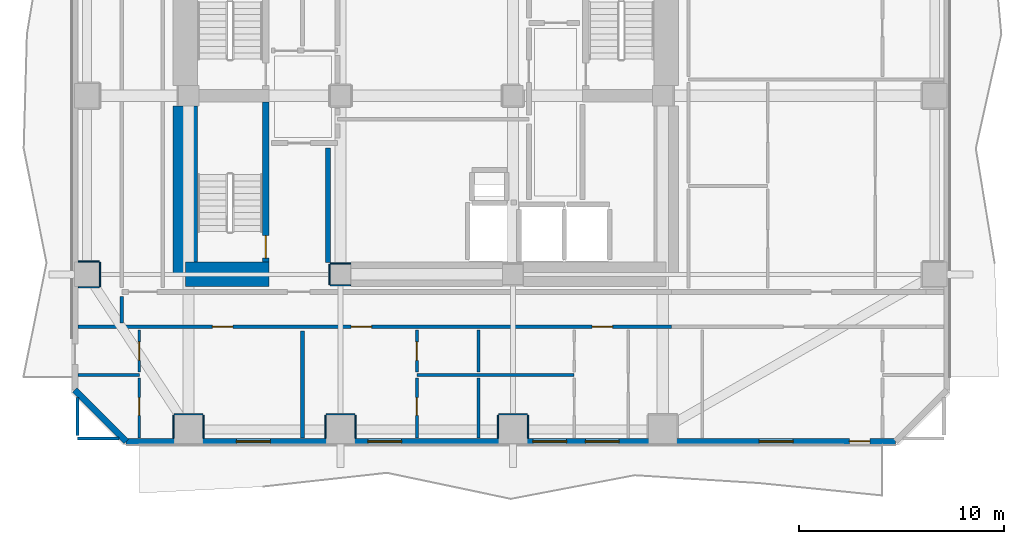
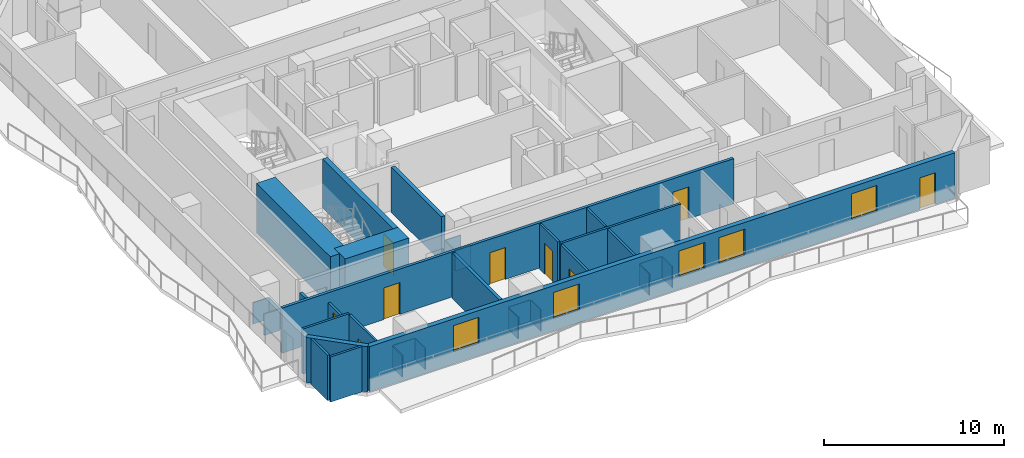
# One storey, part 2 of 11: 34 walls, 9 doors, 5 windows, 14 openings.
"""IFC4 building model written with IfcOpenShell, lengths in metres."""

from ifc_helpers import new_model, si_unit, direction, frame, frame_2d, origin, place, context, subcontext, project, spatial, rectangle, extrude, material, layer, layer_set, type_object, element, fill, save


model = new_model("IFC4")

# Units and contexts
model_context = context("Model", 3, precision=1e-05, world=origin(), true_north=direction((0.0, 1.0)))
body_context = subcontext(model_context, "Body", "Model", "MODEL_VIEW")
ifc_project = project(units=[si_unit("LENGTHUNIT", "METRE"), si_unit("AREAUNIT", "SQUARE_METRE"), si_unit("VOLUMEUNIT", "CUBIC_METRE"), si_unit("PLANEANGLEUNIT", "RADIAN"), si_unit("MASSUNIT", "GRAM", prefix="KILO")], contexts=[model_context])

# Site, building, storey
site_placement = place(None, origin())
site = spatial("IfcSite", under=ifc_project, at=site_placement, CompositionType="ELEMENT")
building_placement = place(site_placement, origin())
building = spatial("IfcBuilding", under=site, at=building_placement, Name="Solanera Arch Residences", CompositionType="ELEMENT")
storey_placement = place(building_placement, frame((0.0, 0.0, 65.159912109375)))
storey = spatial("IfcBuildingStorey", under=building, at=storey_placement, Name="L18", CompositionType="ELEMENT", Elevation=65.159912109375)

# Walls
ifc_material_1 = material(Name="Fire-Rated Gypsum Stud Partition", Category="gypsum")
ifc_layer_1 = layer(ifc_material_1, 0.06005859375)
ifc_layer_set_1 = layer_set([ifc_layer_1], Name="Fire-Rated Gypsum Stud Partition")
wall_type_1 = type_object("IfcWallType", Name="Column Acoustic Furring Wall 60", PredefinedType="PARTITIONING", material=ifc_layer_set_1)
for number, where, z_axis, x_axis, name in (
    (1, (20.300048828125, 21.468017578125, 0.0), (0.0, 0.0, 1.0), (1.0, 0.0, 0.0), "L18 Column Furring 1S"),
    (2, (20.300048828125, 22.531982421875, 0.0), (0.0, 0.0, 1.0), (1.0, 0.0, 0.0), "L18 Column Furring 1N"),
):
    element("IfcWall", number, at=place(storey_placement, frame(where, z_axis=z_axis, x_axis=x_axis)), inside=storey, type_object=wall_type_1, Name=name, PredefinedType="PARTITIONING", context=body_context, shape_type="SweptSolid", body=[
        extrude(rectangle(XDim=0.989990234375, YDim=0.06005859375, at=frame_2d((0.4951171875, 0.0))), origin(), (0.0, 0.0, 1.0), 1.4501953125),
    ])
wall_1_placement = place(storey_placement, frame((20.26806640625, 21.5, 0.0), z_axis=(0.0, 0.0, 1.0), x_axis=(0.0, 1.0, 0.0)))
element("IfcWall", 3, at=wall_1_placement, inside=storey, type_object=wall_type_1, Name="L18 Column Furring 1W", PredefinedType="PARTITIONING", context=body_context, shape_type="SweptSolid", body=[
    extrude(rectangle(XDim=1.0, YDim=0.06005859375, at=frame_2d((0.5, 0.0))), origin(), (0.0, 0.0, 1.0), 1.4501953125),
])
wall_2_placement = place(storey_placement, frame((12.699951171875, 15.181884765625, 0.0), z_axis=(0.0, 0.0, 1.0), x_axis=(1.0, 0.0, 0.0)))
element("IfcWall", 4, at=wall_2_placement, inside=storey, type_object=wall_type_1, Name="L18 Column Furring 9N", PredefinedType="PARTITIONING", context=body_context, shape_type="SweptSolid", body=[
    extrude(rectangle(XDim=1.400146484375, YDim=0.06005859375, at=frame_2d((0.7001953125, 0.0))), origin(), (0.0, 0.0, 1.0), 1.4501953125),
])
for number, where, z_axis, x_axis, name in (
    (5, (12.66796875, 14.030029296875, 0.0), (0.0, 0.0, 1.0), (0.0, 1.0, 0.0), "L18 Column Furring 9W"),
    (6, (14.132080078125, 14.030029296875, 0.0), (0.0, 0.0, 1.0), (0.0, 1.0, 0.0), "L18 Column Furring 9E"),
):
    element("IfcWall", number, at=place(storey_placement, frame(where, z_axis=z_axis, x_axis=x_axis)), inside=storey, type_object=wall_type_1, Name=name, PredefinedType="PARTITIONING", context=body_context, shape_type="SweptSolid", body=[
        extrude(rectangle(XDim=1.119873046875, YDim=0.06005859375, at=frame_2d((0.56005859375, 0.0))), origin(), (0.0, 0.0, 1.0), 1.4501953125),
    ])
wall_3_placement = place(storey_placement, frame((20.10009765625, 15.181884765625, 0.0), z_axis=(0.0, 0.0, 1.0), x_axis=(1.0, 0.0, 0.0)))
element("IfcWall", 7, at=wall_3_placement, inside=storey, type_object=wall_type_1, Name="L18 Column Furring 11N", PredefinedType="PARTITIONING", context=body_context, shape_type="SweptSolid", body=[
    extrude(rectangle(XDim=1.39990234375, YDim=0.06005859375, at=frame_2d((0.699951171875, 0.0))), origin(), (0.0, 0.0, 1.0), 1.4501953125),
])
for number, where, z_axis, x_axis, name in (
    (8, (20.068115234375, 14.030029296875, 0.0), (0.0, 0.0, 1.0), (0.0, 1.0, 0.0), "L18 Column Furring 11W"),
    (9, (21.531982421875, 14.030029296875, 0.0), (0.0, 0.0, 1.0), (0.0, 1.0, 0.0), "L18 Column Furring 11E"),
):
    element("IfcWall", number, at=place(storey_placement, frame(where, z_axis=z_axis, x_axis=x_axis)), inside=storey, type_object=wall_type_1, Name=name, PredefinedType="PARTITIONING", context=body_context, shape_type="SweptSolid", body=[
        extrude(rectangle(XDim=1.119873046875, YDim=0.06005859375, at=frame_2d((0.56005859375, 0.0))), origin(), (0.0, 0.0, 1.0), 1.4501953125),
    ])
wall_4_placement = place(storey_placement, frame((28.5, 15.181884765625, 0.0), z_axis=(0.0, 0.0, 1.0), x_axis=(1.0, 0.0, 0.0)))
element("IfcWall", 10, at=wall_4_placement, inside=storey, type_object=wall_type_1, Name="L18 Column Furring 13N", PredefinedType="PARTITIONING", context=body_context, shape_type="SweptSolid", body=[
    extrude(rectangle(XDim=1.39990234375, YDim=0.06005859375, at=frame_2d((0.699951171875, 0.0))), origin(), (0.0, 0.0, 1.0), 1.4501953125),
])
for number, where, z_axis, x_axis, name in (
    (11, (28.468017578125, 14.030029296875, 0.0), (0.0, 0.0, 1.0), (0.0, 1.0, 0.0), "L18 Column Furring 13W"),
    (12, (29.931884765625, 14.030029296875, 0.0), (0.0, 0.0, 1.0), (0.0, 1.0, 0.0), "L18 Column Furring 13E"),
):
    element("IfcWall", number, at=place(storey_placement, frame(where, z_axis=z_axis, x_axis=x_axis)), inside=storey, type_object=wall_type_1, Name=name, PredefinedType="PARTITIONING", context=body_context, shape_type="SweptSolid", body=[
        extrude(rectangle(XDim=1.119873046875, YDim=0.06005859375, at=frame_2d((0.56005859375, 0.0))), origin(), (0.0, 0.0, 1.0), 1.4501953125),
    ])
for number, where, z_axis, x_axis, name in (
    (13, (8.030029296875, 21.367919921875, 0.0), (0.0, 0.0, 1.0), (1.0, 0.0, 0.0), "L18 Column Furring 17S"),
    (14, (8.030029296875, 22.632080078125, 0.0), (0.0, 0.0, 1.0), (1.0, 0.0, 0.0), "L18 Column Furring 17N"),
):
    element("IfcWall", number, at=place(storey_placement, frame(where, z_axis=z_axis, x_axis=x_axis)), inside=storey, type_object=wall_type_1, Name=name, PredefinedType="PARTITIONING", context=body_context, shape_type="SweptSolid", body=[
        extrude(rectangle(XDim=1.02001953125, YDim=0.06005859375, at=frame_2d((0.510009765625, 0.0))), origin(), (0.0, 0.0, 1.0), 1.4501953125),
    ])
wall_5_placement = place(storey_placement, frame((9.08203125, 21.39990234375, 0.0), z_axis=(0.0, 0.0, 1.0), x_axis=(0.0, 1.0, 0.0)))
element("IfcWall", 15, at=wall_5_placement, inside=storey, type_object=wall_type_1, Name="L18 Column Furring 17E", PredefinedType="PARTITIONING", context=body_context, shape_type="SweptSolid", body=[
    extrude(rectangle(XDim=1.2001953125, YDim=0.06005859375, at=frame_2d((0.60009765625, 0.0))), origin(), (0.0, 0.0, 1.0), 1.4501953125),
])
ifc_material_2 = material(Name="Concrete C55/67 (f'c = 60 MPa)", Category="concrete")
ifc_layer_2 = layer(ifc_material_2, 1.199951171875)
ifc_layer_set_2 = layer_set([ifc_layer_2], Name="Concrete C55/67 (f'c = 60 MPa)")
wall_type_2 = type_object("IfcWallType", Name="Core Shear Wall CW-1200", PredefinedType="SHEAR", material=ifc_layer_set_2)
wall_6_placement = place(storey_placement, frame((13.239990234375, 22.0, 0.0), z_axis=(0.0, 0.0, 1.0), x_axis=(0.0, 1.0, 0.0)))
element("IfcWall", 16, at=wall_6_placement, inside=storey, type_object=wall_type_2, Name="L18 West Core South Shear Wall", PredefinedType="SHEAR", context=body_context, shape_type="SweptSolid", body=[
    extrude(rectangle(XDim=8.195068359375, YDim=1.199951171875, at=frame_2d((4.09765625, 0.0))), origin(), (0.0, 0.0, 1.0), 3.320068359375),
])
wall_7_placement = place(storey_placement, frame((13.239990234375, 22.0, 0.0), z_axis=(0.0, 0.0, 1.0), x_axis=(1.0, 0.0, 0.0)))
element("IfcWall", 17, at=wall_7_placement, inside=storey, type_object=wall_type_2, Name="L18 South-West Core Shear Wall", PredefinedType="SHEAR", context=body_context, shape_type="SweptSolid", body=[
    extrude(rectangle(XDim=4.080078125, YDim=1.199951171875, at=frame_2d((2.0400390625, 0.0))), origin(), (0.0, 0.0, 1.0), 3.320068359375),
])

# Wall, opening, door
ifc_material_3 = material(Name="Concrete C40/50 (f'c = 45 MPa)", Category="concrete")
ifc_layer_3 = layer(ifc_material_3, 0.320068359375)
ifc_layer_set_3 = layer_set([ifc_layer_3], Name="Concrete C40/50 (f'c = 45 MPa)")
wall_type_3 = type_object("IfcWallType", Name="Core Shear Wall CW-320", PredefinedType="SHEAR", material=ifc_layer_set_3)
wall_8_placement = place(storey_placement, frame((17.159912109375, 22.60009765625, 0.0), z_axis=(0.0, 0.0, 1.0), x_axis=(0.0, 1.0, 0.0)))
wall_8 = element("IfcWall", 18, at=wall_8_placement, inside=storey, type_object=wall_type_3, Name="L18 Stair ST-T3 East Shear Wall", PredefinedType="SHEAR", context=body_context, shape_type="SweptSolid", body=[
    extrude(rectangle(XDim=7.7998046875, YDim=0.320068359375, at=frame_2d((3.89990234375, 0.0))), origin(), (0.0, 0.0, 1.0), 3.320068359375),
])
opening_1_placement = place(wall_8_placement, frame((0.18994140625, 0.0, 0.0)))
opening_1 = element("IfcOpeningElement", 19, at=opening_1_placement, cuts=wall_8, Name="Opening DF-01", PredefinedType="OPENING", context=body_context, shape_type="SweptSolid", body=[
    extrude(rectangle(XDim=1.10009765625, YDim=2.14990234375, at=frame_2d((0.550048828125, 1.074951171875))), frame((0.0, 0.169921875, 0.0), z_axis=(0.0, -1.0, 0.0), x_axis=(1.0, 0.0, 0.0)), (0.0, 0.0, 1.0), 0.3401),
])
ifc_material_4 = material(Name="Fire-Rated Architectural Hardwood", Category="wood")
door_type_1 = type_object("IfcDoorType", Name="Stair Exit Fire Door DF-01", OperationType="NOTDEFINED", PredefinedType="DOOR", material=ifc_material_4)
door_1_placement = place(opening_1_placement, origin())
door_1 = element("IfcDoor", 20, at=door_1_placement, inside=storey, type_object=door_type_1, Name="DR-L18-STAIR-ST-T3", OperationType="SINGLE_SWING_LEFT", OverallHeight=2.14990234375, OverallWidth=1.10009765625, PredefinedType="DOOR", context=body_context, shape_type="SweptSolid", body=[
    extrude(rectangle(XDim=1.10009765625, YDim=2.14990234375, at=frame_2d((0.550048828125, 1.074951171875))), frame((0.0, 0.02490234375, 0.0), z_axis=(0.0, -1.0, 0.0), x_axis=(1.0, 0.0, 0.0)), (0.0, 0.0, 1.0), 0.050048828125),
])
fill(opening_1, door_1)

# Wall, openings, doors
ifc_material_5 = material(Name="Autoclaved Aerated Concrete Blockwork", Category="masonry")
ifc_layer_4 = layer(ifc_material_5, 0.179931640625)
ifc_layer_set_4 = layer_set([ifc_layer_4], Name="Autoclaved Aerated Concrete Blockwork")
wall_type_4 = type_object("IfcWallType", Name="Corridor Fire Partition 180", PredefinedType="PARTITIONING", material=ifc_layer_set_4)
wall_9_placement = place(storey_placement, frame((8.027099609375, 19.449951171875, 0.0), z_axis=(0.0, 0.0, 1.0), x_axis=(1.0, 0.0, 0.0)))
wall_9 = element("IfcWall", 21, at=wall_9_placement, inside=storey, type_object=wall_type_4, Name="L18 Interior Partition H7 1", PredefinedType="PARTITIONING", context=body_context, shape_type="SweptSolid", body=[
    extrude(rectangle(XDim=28.90185546875, YDim=0.179931640625, at=frame_2d((14.450927734375, 0.0))), origin(), (0.0, 0.0, 1.0), 3.06005859375),
])
opening_2_placement = place(wall_9_placement, frame((6.532958984375, 0.0, 0.0)))
opening_2 = element("IfcOpeningElement", 22, at=opening_2_placement, cuts=wall_9, Name="Opening DI-01", PredefinedType="OPENING", context=body_context, shape_type="SweptSolid", body=[
    extrude(rectangle(XDim=1.0, YDim=2.14990234375, at=frame_2d((0.5, 1.074951171875))), frame((0.0, 0.10009765625, 0.0), z_axis=(0.0, -1.0, 0.0), x_axis=(1.0, 0.0, 0.0)), (0.0, 0.0, 1.0), 0.1999),
])
opening_3_placement = place(wall_9_placement, frame((13.29296875, 0.0, 0.0)))
opening_3 = element("IfcOpeningElement", 23, at=opening_3_placement, cuts=wall_9, Name="Opening DI-01", PredefinedType="OPENING", context=body_context, shape_type="SweptSolid", body=[
    extrude(rectangle(XDim=1.0, YDim=2.14990234375, at=frame_2d((0.5, 1.074951171875))), frame((0.0, 0.10009765625, 0.0), z_axis=(0.0, -1.0, 0.0), x_axis=(1.0, 0.0, 0.0)), (0.0, 0.0, 1.0), 0.1999),
])
opening_4_placement = place(wall_9_placement, frame((25.02587890625, 0.0, 0.0)))
opening_4 = element("IfcOpeningElement", 24, at=opening_4_placement, cuts=wall_9, Name="Opening DI-01", PredefinedType="OPENING", context=body_context, shape_type="SweptSolid", body=[
    extrude(rectangle(XDim=1.0, YDim=2.14990234375, at=frame_2d((0.5, 1.074951171875))), frame((0.0, 0.10009765625, 0.0), z_axis=(0.0, -1.0, 0.0), x_axis=(1.0, 0.0, 0.0)), (0.0, 0.0, 1.0), 0.1999),
])
ifc_material_6 = material(Name="Fire-Rated Architectural Hardwood", Category="wood")
door_type_2 = type_object("IfcDoorType", Name="Unit Entrance Fire Door DI-01", OperationType="NOTDEFINED", PredefinedType="DOOR", material=ifc_material_6)
door_2_placement = place(opening_2_placement, origin())
door_2 = element("IfcDoor", 25, at=door_2_placement, inside=storey, type_object=door_type_2, Name="DR-L18-IN-015", OperationType="SINGLE_SWING_LEFT", OverallHeight=2.14990234375, OverallWidth=1.0, PredefinedType="DOOR", context=body_context, shape_type="SweptSolid", body=[
    extrude(rectangle(XDim=1.0, YDim=2.14990234375, at=frame_2d((0.5, 1.074951171875))), frame((0.0, 0.02490234375, 0.0), z_axis=(0.0, -1.0, 0.0), x_axis=(1.0, 0.0, 0.0)), (0.0, 0.0, 1.0), 0.050048828125),
])
fill(opening_2, door_2)
door_3_placement = place(opening_3_placement, origin())
door_3 = element("IfcDoor", 26, at=door_3_placement, inside=storey, type_object=door_type_2, Name="DR-L18-IN-018", OperationType="SINGLE_SWING_RIGHT", OverallHeight=2.14990234375, OverallWidth=1.0, PredefinedType="DOOR", context=body_context, shape_type="SweptSolid", body=[
    extrude(rectangle(XDim=1.0, YDim=2.14990234375, at=frame_2d((0.5, 1.074951171875))), frame((0.0, 0.02490234375, 0.0), z_axis=(0.0, -1.0, 0.0), x_axis=(1.0, 0.0, 0.0)), (0.0, 0.0, 1.0), 0.050048828125),
])
fill(opening_3, door_3)
door_4_placement = place(opening_4_placement, origin())
door_4 = element("IfcDoor", 27, at=door_4_placement, inside=storey, type_object=door_type_2, Name="DR-L18-IN-021", OperationType="SINGLE_SWING_LEFT", OverallHeight=2.14990234375, OverallWidth=1.0, PredefinedType="DOOR", context=body_context, shape_type="SweptSolid", body=[
    extrude(rectangle(XDim=1.0, YDim=2.14990234375, at=frame_2d((0.5, 1.074951171875))), frame((0.0, 0.02490234375, 0.0), z_axis=(0.0, -1.0, 0.0), x_axis=(1.0, 0.0, 0.0)), (0.0, 0.0, 1.0), 0.050048828125),
])
fill(opening_4, door_4)

# Wall
wall_10_placement = place(storey_placement, frame((10.14990234375, 19.637939453125, 0.0), z_axis=(0.0, 0.0, 1.0), x_axis=(0.0, 1.0, 0.0)))
element("IfcWall", 28, at=wall_10_placement, inside=storey, type_object=wall_type_4, Name="L18 Interior Partition V9 1", PredefinedType="PARTITIONING", context=body_context, shape_type="SweptSolid", body=[
    extrude(rectangle(XDim=1.2939453125, YDim=0.179931640625, at=frame_2d((0.64697265625, 0.0))), origin(), (0.0, 0.0, 1.0), 2.445068359375),
])

# Wall, openings, door, windows
ifc_material_7 = material(Name="Precast Concrete C35/45", Category="concrete")
ifc_layer_5 = layer(ifc_material_7, 0.300048828125)
ifc_layer_set_5 = layer_set([ifc_layer_5], Name="Precast Concrete C35/45")
wall_type_5 = type_object("IfcWallType", Name="Exterior Wall Precast Masonry-Frame 300", PredefinedType="STANDARD", material=ifc_layer_set_5)
wall_11_placement = place(storey_placement, frame((47.8349609375, 13.864990234375, 0.0), z_axis=(0.0, 0.0, 1.0), x_axis=(-1.0, 0.0, 0.0)))
wall_11 = element("IfcWall", 29, at=wall_11_placement, inside=storey, type_object=wall_type_5, Name="L18 Tower Exterior Precast Masonry-Frame Wall S", PredefinedType="STANDARD", context=body_context, shape_type="SweptSolid", body=[
    extrude(rectangle(XDim=37.469970703125, YDim=0.300048828125, at=frame_2d((18.73486328125, 0.0))), origin(), (0.0, 0.0, 1.0), 3.06005859375),
])
opening_5_placement = place(wall_11_placement, frame((1.2509765625, 0.0, 0.0)))
opening_5 = element("IfcOpeningElement", 30, at=opening_5_placement, cuts=wall_11, Name="Opening DB-01", PredefinedType="OPENING", context=body_context, shape_type="SweptSolid", body=[
    extrude(rectangle(XDim=1.0, YDim=2.14990234375, at=frame_2d((0.5, 1.074951171875))), frame((0.0, 0.159912109375, 0.0), z_axis=(0.0, -1.0, 0.0), x_axis=(1.0, 0.0, 0.0)), (0.0, 0.0, 1.0), 0.32),
])
opening_6_placement = place(wall_11_placement, frame((30.449951171875, 0.0, 0.85009765625)))
opening_6 = element("IfcOpeningElement", 31, at=opening_6_placement, cuts=wall_11, Name="Opening W-08", PredefinedType="OPENING", context=body_context, shape_type="SweptSolid", body=[
    extrude(rectangle(XDim=1.64990234375, YDim=1.75, at=frame_2d((0.824951171875, 0.875))), frame((0.0, 0.159912109375, 0.0), z_axis=(0.0, -1.0, 0.0), x_axis=(1.0, 0.0, 0.0)), (0.0, 0.0, 1.0), 0.32),
])
opening_7_placement = place(wall_11_placement, frame((24.050048828125, 0.0, 0.85009765625)))
opening_7 = element("IfcOpeningElement", 32, at=opening_7_placement, cuts=wall_11, Name="Opening W-08", PredefinedType="OPENING", context=body_context, shape_type="SweptSolid", body=[
    extrude(rectangle(XDim=1.64990234375, YDim=1.75, at=frame_2d((0.824951171875, 0.875))), frame((0.0, 0.159912109375, 0.0), z_axis=(0.0, -1.0, 0.0), x_axis=(1.0, 0.0, 0.0)), (0.0, 0.0, 1.0), 0.32),
])
opening_8_placement = place(wall_11_placement, frame((13.45703125, 0.0, 0.85009765625)))
opening_8 = element("IfcOpeningElement", 33, at=opening_8_placement, cuts=wall_11, Name="Opening W-08", PredefinedType="OPENING", context=body_context, shape_type="SweptSolid", body=[
    extrude(rectangle(XDim=1.64990234375, YDim=1.75, at=frame_2d((0.824951171875, 0.875))), frame((0.0, 0.159912109375, 0.0), z_axis=(0.0, -1.0, 0.0), x_axis=(1.0, 0.0, 0.0)), (0.0, 0.0, 1.0), 0.32),
])
opening_9_placement = place(wall_11_placement, frame((16.01708984375, 0.0, 0.85009765625)))
opening_9 = element("IfcOpeningElement", 34, at=opening_9_placement, cuts=wall_11, Name="Opening W-08", PredefinedType="OPENING", context=body_context, shape_type="SweptSolid", body=[
    extrude(rectangle(XDim=1.64990234375, YDim=1.75, at=frame_2d((0.824951171875, 0.875))), frame((0.0, 0.159912109375, 0.0), z_axis=(0.0, -1.0, 0.0), x_axis=(1.0, 0.0, 0.0)), (0.0, 0.0, 1.0), 0.32),
])
opening_10_placement = place(wall_11_placement, frame((4.991943359375, 0.0, 0.85009765625)))
opening_10 = element("IfcOpeningElement", 35, at=opening_10_placement, cuts=wall_11, Name="Opening W-08", PredefinedType="OPENING", context=body_context, shape_type="SweptSolid", body=[
    extrude(rectangle(XDim=1.64990234375, YDim=1.75, at=frame_2d((0.824951171875, 0.875))), frame((0.0, 0.159912109375, 0.0), z_axis=(0.0, -1.0, 0.0), x_axis=(1.0, 0.0, 0.0)), (0.0, 0.0, 1.0), 0.32),
])
ifc_material_8 = material(Name="Anodised Aluminium Alloy 6063-T6", Category="aluminium")
door_type_3 = type_object("IfcDoorType", Name="Glazed Balcony Swing Door DB-01", OperationType="NOTDEFINED", PredefinedType="DOOR", material=ifc_material_8)
door_5_placement = place(opening_5_placement, origin())
door_5 = element("IfcDoor", 36, at=door_5_placement, inside=storey, type_object=door_type_3, Name="DR-L18-OUT-01", OperationType="SINGLE_SWING_RIGHT", OverallHeight=2.14990234375, OverallWidth=1.0, PredefinedType="DOOR", context=body_context, shape_type="SweptSolid", body=[
    extrude(rectangle(XDim=1.0, YDim=2.14990234375, at=frame_2d((0.5, 1.074951171875))), frame((0.0, 0.02490234375, 0.0), z_axis=(0.0, -1.0, 0.0), x_axis=(1.0, 0.0, 0.0)), (0.0, 0.0, 1.0), 0.050048828125),
])
fill(opening_5, door_5)
ifc_material_9 = material(Name="Double Glazed Low-E Laminated Glass", Category="glass")
window_type = type_object("IfcWindowType", Name="Punched Window W-08", PartitioningType="DOUBLE_PANEL_HORIZONTAL", PredefinedType="WINDOW", material=ifc_material_9)
window_1_placement = place(opening_6_placement, origin())
window_1 = element("IfcWindow", 37, at=window_1_placement, inside=storey, type_object=window_type, Name="L18 1801-LIV Punched Window", OverallHeight=1.75, OverallWidth=1.64990234375, PartitioningType="SINGLE_PANEL", PredefinedType="WINDOW", context=body_context, shape_type="SweptSolid", body=[
    extrude(rectangle(XDim=1.64990234375, YDim=1.75, at=frame_2d((0.824951171875, 0.875))), frame((0.0, 0.030029296875, 0.0), z_axis=(0.0, -1.0, 0.0), x_axis=(1.0, 0.0, 0.0)), (0.0, 0.0, 1.0), 0.06005859375),
])
fill(opening_6, window_1)
window_2_placement = place(opening_7_placement, origin())
window_2 = element("IfcWindow", 38, at=window_2_placement, inside=storey, type_object=window_type, Name="L18 1802-LIV Punched Window", OverallHeight=1.75, OverallWidth=1.64990234375, PartitioningType="SINGLE_PANEL", PredefinedType="WINDOW", context=body_context, shape_type="SweptSolid", body=[
    extrude(rectangle(XDim=1.64990234375, YDim=1.75, at=frame_2d((0.824951171875, 0.875))), frame((0.0, 0.030029296875, 0.0), z_axis=(0.0, -1.0, 0.0), x_axis=(1.0, 0.0, 0.0)), (0.0, 0.0, 1.0), 0.06005859375),
])
fill(opening_7, window_2)
window_3_placement = place(opening_8_placement, origin())
window_3 = element("IfcWindow", 39, at=window_3_placement, inside=storey, type_object=window_type, Name="L18 1803-LIV Punched Window", OverallHeight=1.75, OverallWidth=1.64990234375, PartitioningType="SINGLE_PANEL", PredefinedType="WINDOW", context=body_context, shape_type="SweptSolid", body=[
    extrude(rectangle(XDim=1.64990234375, YDim=1.75, at=frame_2d((0.824951171875, 0.875))), frame((0.0, 0.030029296875, 0.0), z_axis=(0.0, -1.0, 0.0), x_axis=(1.0, 0.0, 0.0)), (0.0, 0.0, 1.0), 0.06005859375),
])
fill(opening_8, window_3)
window_4_placement = place(opening_9_placement, origin())
window_4 = element("IfcWindow", 40, at=window_4_placement, inside=storey, type_object=window_type, Name="L18 1803-BR1 Punched Window", OverallHeight=1.75, OverallWidth=1.64990234375, PartitioningType="SINGLE_PANEL", PredefinedType="WINDOW", context=body_context, shape_type="SweptSolid", body=[
    extrude(rectangle(XDim=1.64990234375, YDim=1.75, at=frame_2d((0.824951171875, 0.875))), frame((0.0, 0.030029296875, 0.0), z_axis=(0.0, -1.0, 0.0), x_axis=(1.0, 0.0, 0.0)), (0.0, 0.0, 1.0), 0.06005859375),
])
fill(opening_9, window_4)
window_5_placement = place(opening_10_placement, origin())
window_5 = element("IfcWindow", 41, at=window_5_placement, inside=storey, type_object=window_type, Name="L18 1804-LIV Punched Window", OverallHeight=1.75, OverallWidth=1.64990234375, PartitioningType="SINGLE_PANEL", PredefinedType="WINDOW", context=body_context, shape_type="SweptSolid", body=[
    extrude(rectangle(XDim=1.64990234375, YDim=1.75, at=frame_2d((0.824951171875, 0.875))), frame((0.0, 0.030029296875, 0.0), z_axis=(0.0, -1.0, 0.0), x_axis=(1.0, 0.0, 0.0)), (0.0, 0.0, 1.0), 0.06005859375),
])
fill(opening_10, window_5)

# Walls
wall_12_placement = place(storey_placement, frame((10.364990234375, 13.864990234375, 0.0), z_axis=(0.0, 0.0, 1.0), x_axis=(-0.707106781187, 0.707106781187, 0.0)))
element("IfcWall", 42, at=wall_12_placement, inside=storey, type_object=wall_type_5, Name="L18 Tower Exterior Precast Masonry-Frame Wall CH7", PredefinedType="STANDARD", context=body_context, shape_type="SweptSolid", body=[
    extrude(rectangle(XDim=3.53564453125, YDim=0.300048828125, at=frame_2d((1.767822265625, 0.0))), origin(), (0.0, 0.0, 1.0), 3.06005859375),
])
ifc_material_10 = material(Name="Autoclaved Aerated Concrete Blockwork", Category="masonry")
ifc_layer_6 = layer(ifc_material_10, 0.199951171875)
ifc_layer_set_6 = layer_set([ifc_layer_6], Name="Autoclaved Aerated Concrete Blockwork")
wall_type_6 = type_object("IfcWallType", Name="Party Wall Acoustic 200", PredefinedType="PARTITIONING", material=ifc_layer_set_6)
wall_13_placement = place(storey_placement, frame((18.949951171875, 14.027099609375, 0.0), z_axis=(0.0, 0.0, 1.0), x_axis=(0.0, 1.0, 0.0)))
element("IfcWall", 43, at=wall_13_placement, inside=storey, type_object=wall_type_6, Name="L18 Interior Partition V6", PredefinedType="PARTITIONING", context=body_context, shape_type="SweptSolid", body=[
    extrude(rectangle(XDim=5.224853515625, YDim=0.199951171875, at=frame_2d((2.6123046875, 0.0))), origin(), (0.0, 0.0, 1.0), 3.06005859375),
])
ifc_material_11 = material(Name="Autoclaved Aerated Concrete Blockwork", Category="masonry")
ifc_layer_7 = layer(ifc_material_11, 0.239990234375)
ifc_layer_set_7 = layer_set([ifc_layer_7], Name="Autoclaved Aerated Concrete Blockwork")
wall_type_7 = type_object("IfcWallType", Name="Shaft Wall Fire-Rated 240", PredefinedType="PARTITIONING", material=ifc_layer_set_7)
wall_14_placement = place(storey_placement, frame((20.199951171875, 22.5859375, 0.0), z_axis=(0.0, 0.0, 1.0), x_axis=(0.0, 1.0, 0.0)))
element("IfcWall", 44, at=wall_14_placement, inside=storey, type_object=wall_type_7, Name="L18 Interior Partition V2", PredefinedType="PARTITIONING", context=body_context, shape_type="SweptSolid", body=[
    extrude(rectangle(XDim=5.566162109375, YDim=0.239990234375, at=frame_2d((2.783203125, 0.0))), origin(), (0.0, 0.0, 1.0), 3.06005859375),
])
ifc_material_12 = material(Name="Autoclaved Aerated Concrete Blockwork", Category="masonry")
ifc_layer_8 = layer(ifc_material_12, 0.139892578125)
ifc_layer_set_8 = layer_set([ifc_layer_8], Name="Autoclaved Aerated Concrete Blockwork")
wall_type_8 = type_object("IfcWallType", Name="Wet-Room Partition 140", PredefinedType="PARTITIONING", material=ifc_layer_set_8)
wall_15_placement = place(storey_placement, frame((8.0, 14.0, 0.0), z_axis=(0.0, 0.0, 1.0), x_axis=(1.0, 0.0, 0.0)))
element("IfcWall", 45, at=wall_15_placement, inside=storey, type_object=wall_type_8, Name="L18 Interior Partition H12 1", PredefinedType="PARTITIONING", context=body_context, shape_type="SweptSolid", body=[
    extrude(rectangle(XDim=2.0009765625, YDim=0.139892578125, at=frame_2d((1.00048828125, 0.0))), origin(), (0.0, 0.0, 1.0), 3.06005859375),
])
wall_16_placement = place(storey_placement, frame((8.027099609375, 17.10693359375, 0.0), z_axis=(0.0, 0.0, 1.0), x_axis=(1.0, 0.0, 0.0)))
element("IfcWall", 46, at=wall_16_placement, inside=storey, type_object=wall_type_8, Name="L18 Interior Partition H13", PredefinedType="PARTITIONING", context=body_context, shape_type="SweptSolid", body=[
    extrude(rectangle(XDim=2.972900390625, YDim=0.139892578125, at=frame_2d((1.486328125, 0.0))), origin(), (0.0, 0.0, 1.0), 3.06005859375),
])
wall_17_placement = place(storey_placement, frame((24.52001953125, 17.10693359375, 0.0), z_axis=(0.0, 0.0, 1.0), x_axis=(1.0, 0.0, 0.0)))
element("IfcWall", 47, at=wall_17_placement, inside=storey, type_object=wall_type_8, Name="L18 Interior Partition H14", PredefinedType="PARTITIONING", context=body_context, shape_type="SweptSolid", body=[
    extrude(rectangle(XDim=7.6669921875, YDim=0.139892578125, at=frame_2d((3.83349609375, 0.0))), origin(), (0.0, 0.0, 1.0), 3.06005859375),
])
wall_18_placement = place(storey_placement, frame((8.0, 14.14794921875, 0.0), z_axis=(0.0, 0.0, 1.0), x_axis=(0.0, 1.0, 0.0)))
element("IfcWall", 48, at=wall_18_placement, inside=storey, type_object=wall_type_8, Name="L18 Interior Partition V12", PredefinedType="PARTITIONING", context=body_context, shape_type="SweptSolid", body=[
    extrude(rectangle(XDim=1.85302734375, YDim=0.139892578125, at=frame_2d((0.926513671875, 0.0))), origin(), (0.0, 0.0, 1.0), 3.06005859375),
])

# Wall, opening, door
wall_19_placement = place(storey_placement, frame((11.0, 14.027099609375, 0.0), z_axis=(0.0, 0.0, 1.0), x_axis=(0.0, 1.0, 0.0)))
wall_19 = element("IfcWall", 49, at=wall_19_placement, inside=storey, type_object=wall_type_8, Name="L18 Interior Partition V14 1", PredefinedType="PARTITIONING", context=body_context, shape_type="SweptSolid", body=[
    extrude(rectangle(XDim=2.931884765625, YDim=0.139892578125, at=frame_2d((1.4658203125, 0.0))), origin(), (0.0, 0.0, 1.0), 3.06005859375),
])
opening_11_placement = place(wall_19_placement, frame((1.10888671875, 0.0, 0.0)))
opening_11 = element("IfcOpeningElement", 50, at=opening_11_placement, cuts=wall_19, Name="Opening DI-05", PredefinedType="OPENING", context=body_context, shape_type="SweptSolid", body=[
    extrude(rectangle(XDim=0.860107421875, YDim=2.02001953125, at=frame_2d((0.43017578125, 1.010009765625))), frame((0.0, 0.079833984375, 0.0), z_axis=(0.0, -1.0, 0.0), x_axis=(1.0, 0.0, 0.0)), (0.0, 0.0, 1.0), 0.1599),
])
ifc_material_13 = material(Name="Fire-Rated Architectural Hardwood", Category="wood")
door_type_4 = type_object("IfcDoorType", Name="Bathroom Swing Door DI-05", OperationType="NOTDEFINED", PredefinedType="DOOR", material=ifc_material_13)
door_6_placement = place(opening_11_placement, origin())
door_6 = element("IfcDoor", 51, at=door_6_placement, inside=storey, type_object=door_type_4, Name="DR-L18-IN-017", OperationType="SINGLE_SWING_LEFT", OverallHeight=2.02001953125, OverallWidth=0.860107421875, PredefinedType="DOOR", context=body_context, shape_type="SweptSolid", body=[
    extrude(rectangle(XDim=0.860107421875, YDim=2.02001953125, at=frame_2d((0.43017578125, 1.010009765625))), frame((0.0, 0.02490234375, 0.0), z_axis=(0.0, -1.0, 0.0), x_axis=(1.0, 0.0, 0.0)), (0.0, 0.0, 1.0), 0.050048828125),
])
fill(opening_11, door_6)

wall_20_placement = place(storey_placement, frame((11.0, 17.2548828125, 0.0), z_axis=(0.0, 0.0, 1.0), x_axis=(0.0, 1.0, 0.0)))
wall_20 = element("IfcWall", 52, at=wall_20_placement, inside=storey, type_object=wall_type_8, Name="L18 Interior Partition V14 2", PredefinedType="PARTITIONING", context=body_context, shape_type="SweptSolid", body=[
    extrude(rectangle(XDim=2.027099609375, YDim=0.139892578125, at=frame_2d((1.013671875, 0.0))), origin(), (0.0, 0.0, 1.0), 2.445068359375),
])
opening_12_placement = place(wall_20_placement, frame((0.56103515625, 0.0, 0.0)))
opening_12 = element("IfcOpeningElement", 53, at=opening_12_placement, cuts=wall_20, Name="Opening DI-02", PredefinedType="OPENING", context=body_context, shape_type="SweptSolid", body=[
    extrude(rectangle(XDim=0.89990234375, YDim=2.10009765625, at=frame_2d((0.449951171875, 1.050048828125))), frame((0.0, 0.079833984375, 0.0), z_axis=(0.0, -1.0, 0.0), x_axis=(1.0, 0.0, 0.0)), (0.0, 0.0, 1.0), 0.1599),
])
ifc_material_14 = material(Name="Fire-Rated Architectural Hardwood", Category="wood")
door_type_5 = type_object("IfcDoorType", Name="Suite Room Swing Door DI-02", OperationType="NOTDEFINED", PredefinedType="DOOR", material=ifc_material_14)
door_7_placement = place(opening_12_placement, origin())
door_7 = element("IfcDoor", 54, at=door_7_placement, inside=storey, type_object=door_type_5, Name="DR-L18-IN-016", OperationType="SINGLE_SWING_RIGHT", OverallHeight=2.10009765625, OverallWidth=0.89990234375, PredefinedType="DOOR", context=body_context, shape_type="SweptSolid", body=[
    extrude(rectangle(XDim=0.89990234375, YDim=2.10009765625, at=frame_2d((0.449951171875, 1.050048828125))), frame((0.0, 0.02490234375, 0.0), z_axis=(0.0, -1.0, 0.0), x_axis=(1.0, 0.0, 0.0)), (0.0, 0.0, 1.0), 0.050048828125),
])
fill(opening_12, door_7)

wall_21_placement = place(storey_placement, frame((24.52001953125, 14.027099609375, 0.0), z_axis=(0.0, 0.0, 1.0), x_axis=(0.0, 1.0, 0.0)))
wall_21 = element("IfcWall", 55, at=wall_21_placement, inside=storey, type_object=wall_type_8, Name="L18 Interior Partition V16 1", PredefinedType="PARTITIONING", context=body_context, shape_type="SweptSolid", body=[
    extrude(rectangle(XDim=2.931884765625, YDim=0.139892578125, at=frame_2d((1.4658203125, 0.0))), origin(), (0.0, 0.0, 1.0), 3.06005859375),
])
opening_13_placement = place(wall_21_placement, frame((1.10888671875, 0.0, 0.0)))
opening_13 = element("IfcOpeningElement", 56, at=opening_13_placement, cuts=wall_21, Name="Opening DI-05", PredefinedType="OPENING", context=body_context, shape_type="SweptSolid", body=[
    extrude(rectangle(XDim=0.860107421875, YDim=2.02001953125, at=frame_2d((0.43017578125, 1.010009765625))), frame((0.0, 0.079833984375, 0.0), z_axis=(0.0, -1.0, 0.0), x_axis=(1.0, 0.0, 0.0)), (0.0, 0.0, 1.0), 0.1599),
])
door_8_placement = place(opening_13_placement, origin())
door_8 = element("IfcDoor", 57, at=door_8_placement, inside=storey, type_object=door_type_4, Name="DR-L18-IN-020", OperationType="SINGLE_SWING_RIGHT", OverallHeight=2.02001953125, OverallWidth=0.860107421875, PredefinedType="DOOR", context=body_context, shape_type="SweptSolid", body=[
    extrude(rectangle(XDim=0.860107421875, YDim=2.02001953125, at=frame_2d((0.43017578125, 1.010009765625))), frame((0.0, 0.02490234375, 0.0), z_axis=(0.0, -1.0, 0.0), x_axis=(1.0, 0.0, 0.0)), (0.0, 0.0, 1.0), 0.050048828125),
])
fill(opening_13, door_8)

wall_22_placement = place(storey_placement, frame((24.52001953125, 17.2548828125, 0.0), z_axis=(0.0, 0.0, 1.0), x_axis=(0.0, 1.0, 0.0)))
wall_22 = element("IfcWall", 58, at=wall_22_placement, inside=storey, type_object=wall_type_8, Name="L18 Interior Partition V16 2", PredefinedType="PARTITIONING", context=body_context, shape_type="SweptSolid", body=[
    extrude(rectangle(XDim=2.027099609375, YDim=0.139892578125, at=frame_2d((1.013671875, 0.0))), origin(), (0.0, 0.0, 1.0), 3.06005859375),
])
opening_14_placement = place(wall_22_placement, frame((0.56103515625, 0.0, 0.0)))
opening_14 = element("IfcOpeningElement", 59, at=opening_14_placement, cuts=wall_22, Name="Opening DI-02", PredefinedType="OPENING", context=body_context, shape_type="SweptSolid", body=[
    extrude(rectangle(XDim=0.89990234375, YDim=2.10009765625, at=frame_2d((0.449951171875, 1.050048828125))), frame((0.0, 0.079833984375, 0.0), z_axis=(0.0, -1.0, 0.0), x_axis=(1.0, 0.0, 0.0)), (0.0, 0.0, 1.0), 0.1599),
])
door_9_placement = place(opening_14_placement, origin())
door_9 = element("IfcDoor", 60, at=door_9_placement, inside=storey, type_object=door_type_5, Name="DR-L18-IN-019", OperationType="SINGLE_SWING_LEFT", OverallHeight=2.10009765625, OverallWidth=0.89990234375, PredefinedType="DOOR", context=body_context, shape_type="SweptSolid", body=[
    extrude(rectangle(XDim=0.89990234375, YDim=2.10009765625, at=frame_2d((0.449951171875, 1.050048828125))), frame((0.0, 0.02490234375, 0.0), z_axis=(0.0, -1.0, 0.0), x_axis=(1.0, 0.0, 0.0)), (0.0, 0.0, 1.0), 0.050048828125),
])
fill(opening_14, door_9)

# Walls
wall_23_placement = place(storey_placement, frame((27.52001953125, 14.027099609375, 0.0), z_axis=(0.0, 0.0, 1.0), x_axis=(0.0, 1.0, 0.0)))
element("IfcWall", 61, at=wall_23_placement, inside=storey, type_object=wall_type_8, Name="L18 Interior Partition V17 1", PredefinedType="PARTITIONING", context=body_context, shape_type="SweptSolid", body=[
    extrude(rectangle(XDim=2.931884765625, YDim=0.139892578125, at=frame_2d((1.4658203125, 0.0))), origin(), (0.0, 0.0, 1.0), 3.06005859375),
])
wall_24_placement = place(storey_placement, frame((27.52001953125, 17.2548828125, 0.0), z_axis=(0.0, 0.0, 1.0), x_axis=(0.0, 1.0, 0.0)))
element("IfcWall", 62, at=wall_24_placement, inside=storey, type_object=wall_type_8, Name="L18 Interior Partition V17 2", PredefinedType="PARTITIONING", context=body_context, shape_type="SweptSolid", body=[
    extrude(rectangle(XDim=2.027099609375, YDim=0.139892578125, at=frame_2d((1.013671875, 0.0))), origin(), (0.0, 0.0, 1.0), 3.06005859375),
])

save(model, "model.ifc")
